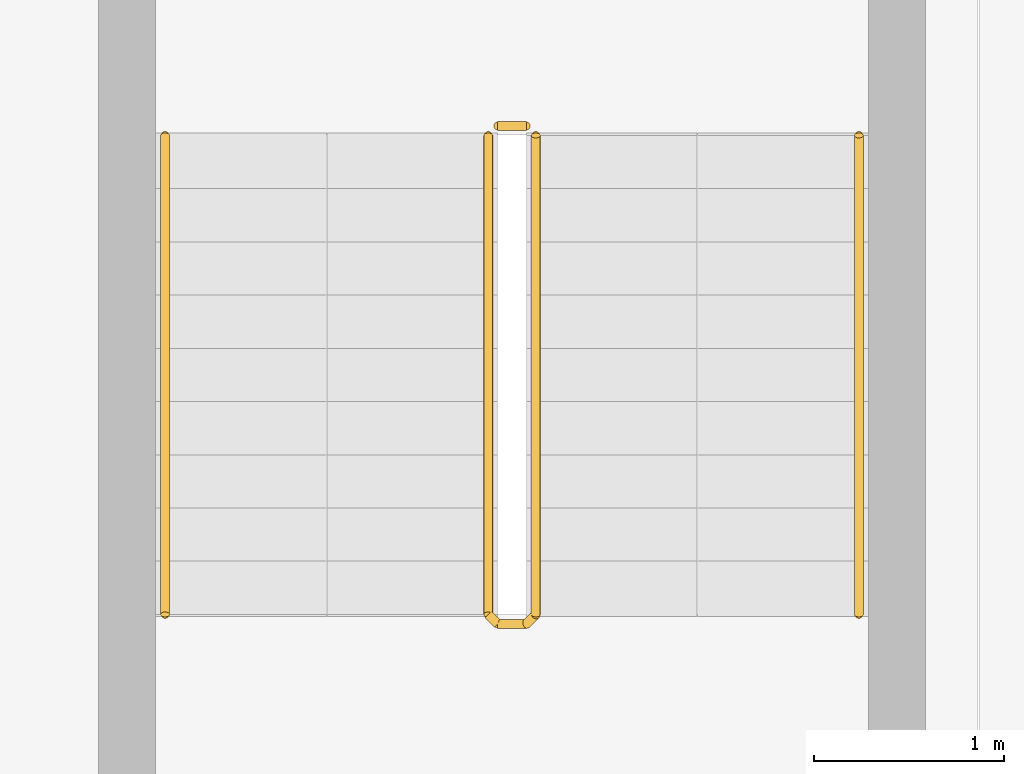
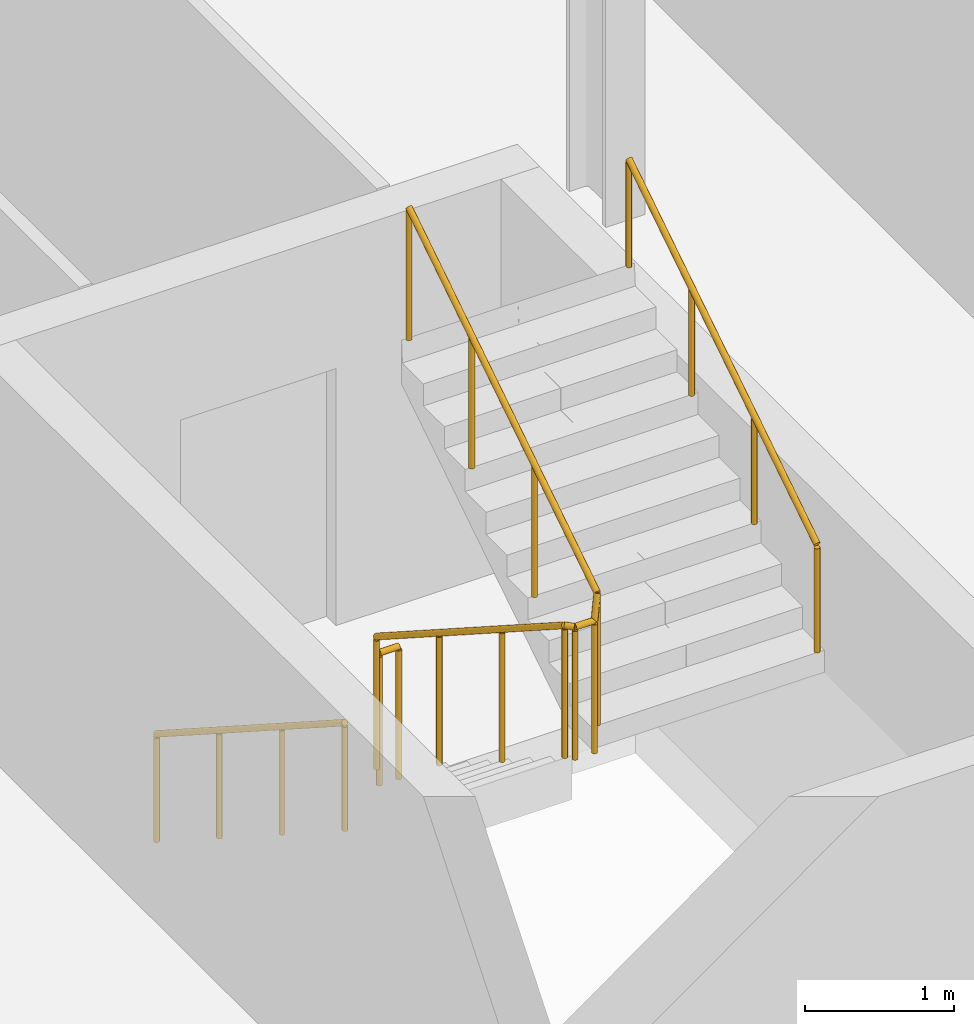
# One storey, part 23 of 25: 4 railings.
"""IFC4 building model written with IfcOpenShell, lengths in metres."""

from ifc_helpers import new_model, si_unit, direction, frame, origin, origin_2d, place, context, subcontext, project, spatial, circle, extrude, material, type_object, element, save


model = new_model("IFC4")

# Units and contexts
model_context = context("Model", 3, precision=1e-05, world=origin(), true_north=direction((0.0, 1.0)))
body_context = subcontext(model_context, "Body", "Model", "MODEL_VIEW")
ifc_project = project(units=[si_unit("LENGTHUNIT", "METRE"), si_unit("AREAUNIT", "SQUARE_METRE"), si_unit("VOLUMEUNIT", "CUBIC_METRE"), si_unit("PLANEANGLEUNIT", "RADIAN"), si_unit("MASSUNIT", "GRAM", prefix="KILO")], contexts=[model_context])

# Site, building, storey
site_placement = place(None, origin())
site = spatial("IfcSite", under=ifc_project, at=site_placement, CompositionType="ELEMENT")
building_placement = place(site_placement, origin())
building = spatial("IfcBuilding", under=site, at=building_placement, Name="Wharfspan Tower", CompositionType="ELEMENT")
storey_placement = place(building_placement, frame((0.0, 0.0, 121.899902)))
storey = spatial("IfcBuildingStorey", under=building, at=storey_placement, Name="L28", CompositionType="ELEMENT", Elevation=121.899902)

# Railings
ifc_material = material(Name="Steel S355J2", Category="steel")
railing_type_1 = type_object("IfcRailingType", Name="Stair guard 1100", PredefinedType="GUARDRAIL", material=ifc_material)
railing_1_placement = place(storey_placement, frame((43.235352, 6.316895, 0.180176)))
element("IfcRailing", 1, at=railing_1_placement, inside=storey, type_object=railing_type_1, Name="L28 ST4 stair guard 1", PredefinedType="GUARDRAIL", context=body_context, shape_type="SweptSolid", body=[
    extrude(circle(Radius=0.023926, at=origin_2d()), frame((0.0, 0.0, 1.076172), z_axis=(0.0, -0.8412, 0.540725), x_axis=(1.0, 0.0, 0.0)), (0.0, 0.0, 1.0), 2.99585),
    extrude(circle(Radius=0.023926, at=origin_2d()), frame((0.0, -2.52002, 2.695801), z_axis=(0.707107, -0.707107, 0.0), x_axis=(0.707107, 0.707107, 0.0)), (0.0, 0.0, 1.0), 0.070312),
    extrude(circle(Radius=0.023926, at=origin_2d()), frame((0.049805, -2.569824, 2.695801), z_axis=(1.0, 0.0, 0.0), x_axis=(0.0, 1.0, 0.0)), (0.0, 0.0, 1.0), 0.150146),
    extrude(circle(Radius=0.023926, at=origin_2d()), frame((0.199951, -2.569824, 2.695801), z_axis=(0.258932, 0.257669, 0.930892), x_axis=(-0.705372, 0.708833, -1e-06)), (0.0, 0.0, 1.0), 0.193359),
    extrude(circle(Radius=0.023926, at=origin_2d()), frame((0.25, -2.52002, 2.875977), z_axis=(0.0, 0.841163, 0.540782), x_axis=(-1.0, 0.0, 0.0)), (0.0, 0.0, 1.0), 2.99585),
    extrude(circle(Radius=0.020996, at=origin_2d()), origin(), (0.0, 0.0, 1.0), 1.052002),
    extrude(circle(Radius=0.020996, at=origin_2d()), frame((0.0, -0.840088, 0.540039)), (0.0, 0.0, 1.0), 1.052002),
    extrude(circle(Radius=0.020996, at=origin_2d()), frame((0.0, -1.679932, 1.079834)), (0.0, 0.0, 1.0), 1.052002),
    extrude(circle(Radius=0.020996, at=origin_2d()), frame((0.0, -2.52002, 1.619873)), (0.0, 0.0, 1.0), 1.052002),
    extrude(circle(Radius=0.020996, at=origin_2d()), frame((0.049805, -2.569824, 1.619873)), (0.0, 0.0, 1.0), 1.052002),
    extrude(circle(Radius=0.020996, at=origin_2d()), frame((0.199951, -2.569824, 1.619873)), (0.0, 0.0, 1.0), 1.052002),
    extrude(circle(Radius=0.020996, at=origin_2d()), frame((0.25, -2.52002, 1.799805)), (0.0, 0.0, 1.0), 1.052002),
    extrude(circle(Radius=0.020996, at=origin_2d()), frame((0.25, -1.679932, 2.339844)), (0.0, 0.0, 1.0), 1.052002),
    extrude(circle(Radius=0.020996, at=origin_2d()), frame((0.25, -0.840088, 2.879883)), (0.0, 0.0, 1.0), 1.052002),
    extrude(circle(Radius=0.020996, at=origin_2d()), frame((0.25, 0.0, 3.419922)), (0.0, 0.0, 1.0), 1.052002),
])
railing_2_placement = place(storey_placement, frame((43.285156, 6.366943, 0.0)))
element("IfcRailing", 2, at=railing_2_placement, inside=storey, type_object=railing_type_1, Name="L28 ST4 stair guard 2", PredefinedType="GUARDRAIL", context=body_context, shape_type="SweptSolid", body=[
    extrude(circle(Radius=0.023926, at=origin_2d()), frame((0.0, 0.0, 1.076172), z_axis=(1.0, 0.0, 0.0), x_axis=(0.0, 1.0, 0.0)), (0.0, 0.0, 1.0), 0.150146),
    extrude(circle(Radius=0.020996, at=origin_2d()), origin(), (0.0, 0.0, 1.0), 1.052002),
    extrude(circle(Radius=0.020996, at=origin_2d()), frame((0.150146, 0.0, 0.0)), (0.0, 0.0, 1.0), 1.052002),
])
railing_type_2 = type_object("IfcRailingType", Name="Stair handrail 900", PredefinedType="HANDRAIL", material=ifc_material)
railing_3_placement = place(storey_placement, frame((41.535156, 6.316895, 0.180176)))
element("IfcRailing", 3, at=railing_3_placement, inside=storey, type_object=railing_type_2, Name="L28 ST4 stair handrail 1", PredefinedType="HANDRAIL", context=body_context, shape_type="SweptSolid", body=[
    extrude(circle(Radius=0.023926, at=origin_2d()), frame((0.0, 0.0, 0.875977), z_axis=(0.0, -0.8412, 0.540725), x_axis=(1.0, 0.0, 0.0)), (0.0, 0.0, 1.0), 2.99585),
    extrude(circle(Radius=0.020996, at=origin_2d()), origin(), (0.0, 0.0, 1.0), 0.851807),
    extrude(circle(Radius=0.020996, at=origin_2d()), frame((0.0, -0.840088, 0.540039)), (0.0, 0.0, 1.0), 0.851807),
    extrude(circle(Radius=0.020996, at=origin_2d()), frame((0.0, -1.679932, 1.079834)), (0.0, 0.0, 1.0), 0.851807),
    extrude(circle(Radius=0.020996, at=origin_2d()), frame((0.0, -2.52002, 1.619873)), (0.0, 0.0, 1.0), 0.851807),
])
railing_4_placement = place(storey_placement, frame((45.185303, 3.796875, 1.97998)))
element("IfcRailing", 4, at=railing_4_placement, inside=storey, type_object=railing_type_2, Name="L28 ST4 stair handrail 2", PredefinedType="HANDRAIL", context=body_context, shape_type="SweptSolid", body=[
    extrude(circle(Radius=0.023926, at=origin_2d()), frame((0.0, 0.0, 0.875977), z_axis=(0.0, 0.841163, 0.540782), x_axis=(-1.0, 0.0, 0.0)), (0.0, 0.0, 1.0), 2.99585),
    extrude(circle(Radius=0.020996, at=origin_2d()), origin(), (0.0, 0.0, 1.0), 0.851807),
    extrude(circle(Radius=0.020996, at=origin_2d()), frame((0.0, 0.840088, 0.540039)), (0.0, 0.0, 1.0), 0.851807),
    extrude(circle(Radius=0.020996, at=origin_2d()), frame((0.0, 1.679932, 1.080078)), (0.0, 0.0, 1.0), 0.851807),
    extrude(circle(Radius=0.020996, at=origin_2d()), frame((0.0, 2.52002, 1.620117)), (0.0, 0.0, 1.0), 0.851807),
])

save(model, "model.ifc")
